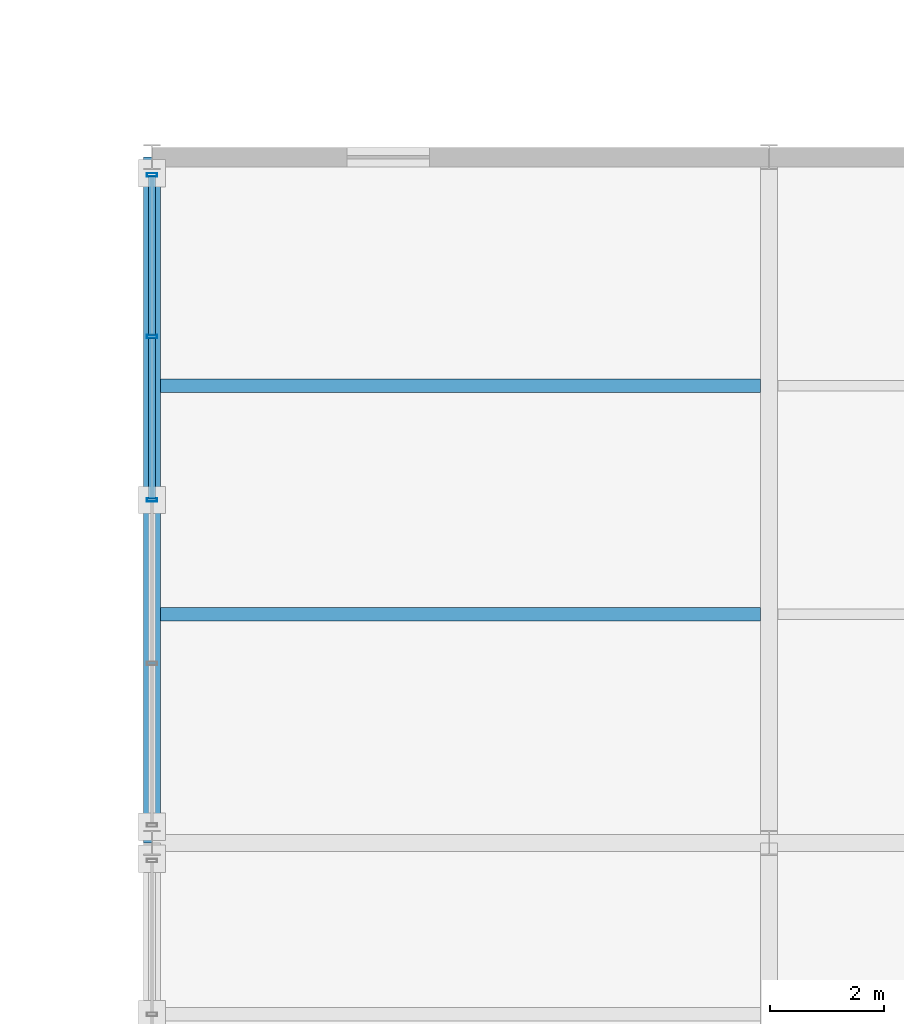
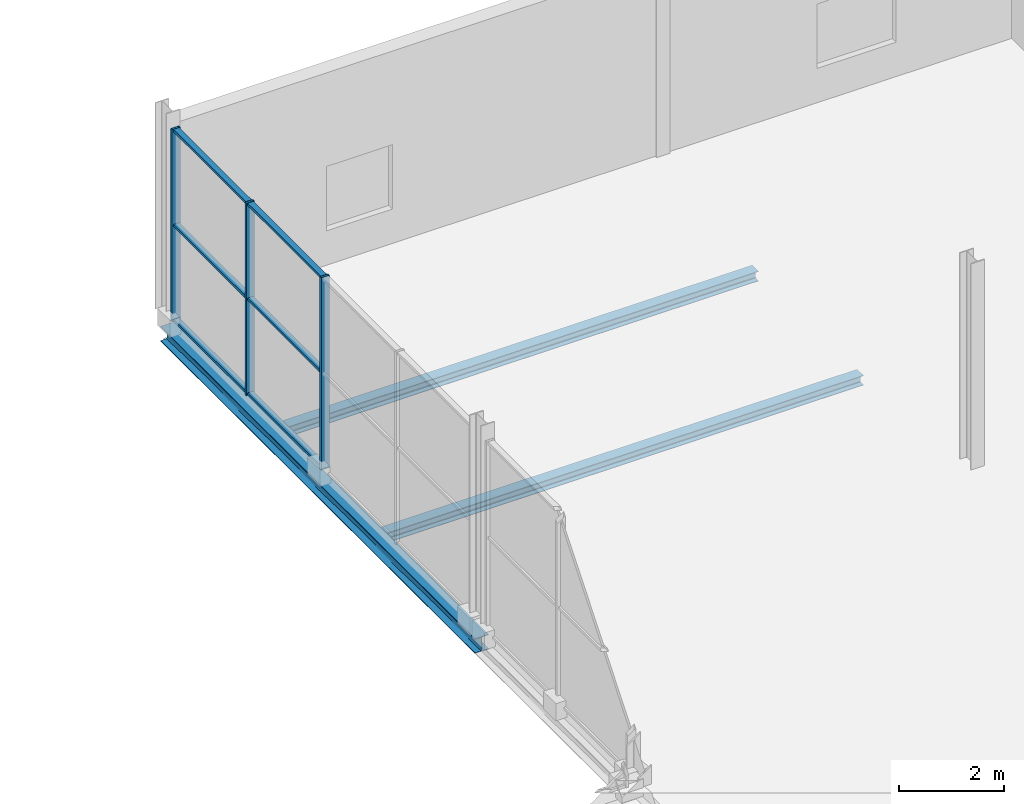
# One storey, part 114 of 159: 9 members, 3 beams, 1 element without a shape of its own.
"""IFC4 building model written with IfcOpenShell, lengths in metres."""

from ifc_helpers import new_model, si_unit, direction, frame, origin, origin_2d, place, context, subcontext, project, spatial, hollow_rectangle, i_section, extrude, material, material_profile, profile_set, type_object, element, aggregate, save


model = new_model("IFC4")

# Units and contexts
model_context = context("Model", 3, precision=1e-05, world=origin(), true_north=direction((0.0, 1.0)))
body_context = subcontext(model_context, "Body", "Model", "MODEL_VIEW")
ifc_project = project(units=[si_unit("LENGTHUNIT", "METRE"), si_unit("AREAUNIT", "SQUARE_METRE"), si_unit("VOLUMEUNIT", "CUBIC_METRE"), si_unit("PLANEANGLEUNIT", "RADIAN"), si_unit("MASSUNIT", "GRAM", prefix="KILO")], contexts=[model_context])

# Site, building, storey
site_placement = place(None, origin())
site = spatial("IfcSite", under=ifc_project, at=site_placement, CompositionType="ELEMENT")
building_placement = place(site_placement, origin())
building = spatial("IfcBuilding", under=site, at=building_placement, Name="Merenkruunu Market Hall", CompositionType="ELEMENT")
storey_placement = place(building_placement, frame((0.0, 0.0, 5.39990234375)))
storey = spatial("IfcBuildingStorey", under=building, at=storey_placement, Name="L01", CompositionType="ELEMENT", Elevation=5.39990234375)

# Curtain wall, members
ifc_material_1 = material(Name="Powder-coated aluminium", Category="aluminium")
curtain_wall_type = type_object("IfcCurtainWallType", Name="Glazed Curtain Wall CW14", PredefinedType="USERDEFINED", material=ifc_material_1)
curtain_wall_placement = place(storey_placement, origin())
curtain_wall = element("IfcCurtainWall", 1, at=curtain_wall_placement, inside=storey, type_object=curtain_wall_type, Name="CW-L01-CWM02-214", ObjectType="GLAZED_FACADE", PredefinedType="USERDEFINED")
ifc_material_profile_1 = material_profile(ifc_material_1, hollow_rectangle(XDim=0.06005859375, YDim=0.179931640625, WallThickness=0.00390625, at=origin_2d()), Name="ALU 60x180x4")
ifc_profile_set_1 = profile_set([ifc_material_profile_1], Name="Powder-coated aluminium")
member_type_1 = type_object("IfcMemberType", Name="Curtain Wall Mullion CWM02", PredefinedType="MULLION", material=ifc_profile_set_1)
member_1_placement = place(storey_placement, frame((148.800048828125, 57.60009765625, 0.0), z_axis=(0.0, 0.0, 1.0), x_axis=(0.0, 1.0, 0.0)))
member_1 = element("IfcMember", 2, at=member_1_placement, type_object=member_type_1, Name="CW14 mullion 3", PredefinedType="MULLION", context=body_context, shape_type="SweptSolid", body=[
    extrude(hollow_rectangle(XDim=0.06005859375, YDim=0.179931640625, WallThickness=0.00390625, at=origin_2d()), origin(), (0.0, 0.0, 1.0), 4.47998046875),
])
member_2_placement = place(storey_placement, frame((148.800048828125, 60.4599609375, 0.0), z_axis=(0.0, 0.0, 1.0), x_axis=(0.0, 1.0, 0.0)))
member_2 = element("IfcMember", 3, at=member_2_placement, type_object=member_type_1, Name="CW14 mullion 4", PredefinedType="MULLION", context=body_context, shape_type="SweptSolid", body=[
    extrude(hollow_rectangle(XDim=0.06005859375, YDim=0.179931640625, WallThickness=0.00390625, at=origin_2d()), origin(), (0.0, 0.0, 1.0), 4.47998046875),
])
member_3_placement = place(storey_placement, frame((148.800048828125, 63.2900390625, 0.0), z_axis=(0.0, 0.0, 1.0), x_axis=(0.0, 1.0, 0.0)))
member_3 = element("IfcMember", 4, at=member_3_placement, type_object=member_type_1, Name="CW14 mullion 5", PredefinedType="MULLION", context=body_context, shape_type="SweptSolid", body=[
    extrude(hollow_rectangle(XDim=0.06005859375, YDim=0.179931640625, WallThickness=0.00390625, at=origin_2d()), origin(), (0.0, 0.0, 1.0), 4.47998046875),
])
ifc_material_profile_2 = material_profile(ifc_material_1, hollow_rectangle(XDim=0.06005859375, YDim=0.125, WallThickness=0.00390625, at=origin_2d()), Name="ALU 60x125x4")
ifc_profile_set_2 = profile_set([ifc_material_profile_2], Name="Powder-coated aluminium")
member_type_2 = type_object("IfcMemberType", Name="Curtain Wall Transom CWT01", PredefinedType="USERDEFINED", material=ifc_profile_set_2)
member_4_placement = place(storey_placement, frame((148.800048828125, 57.6298828125, 0.030029296875), z_axis=(0.0, 1.0, 0.0), x_axis=(0.0, 0.0, 1.0)))
member_4 = element("IfcMember", 5, at=member_4_placement, type_object=member_type_2, Name="CW14 transom 3.1", ObjectType="TRANSOM", PredefinedType="USERDEFINED", context=body_context, shape_type="SweptSolid", body=[
    extrude(hollow_rectangle(XDim=0.06005859375, YDim=0.125, WallThickness=0.00390625, at=origin_2d()), origin(), (0.0, 0.0, 1.0), 2.800048828125),
])
member_5_placement = place(storey_placement, frame((148.800048828125, 57.6298828125, 2.239990234375), z_axis=(0.0, 1.0, 0.0), x_axis=(0.0, 0.0, 1.0)))
member_5 = element("IfcMember", 6, at=member_5_placement, type_object=member_type_2, Name="CW14 transom 3.2", ObjectType="TRANSOM", PredefinedType="USERDEFINED", context=body_context, shape_type="SweptSolid", body=[
    extrude(hollow_rectangle(XDim=0.06005859375, YDim=0.125, WallThickness=0.00390625, at=origin_2d()), origin(), (0.0, 0.0, 1.0), 2.800048828125),
])
member_6_placement = place(storey_placement, frame((148.800048828125, 57.6298828125, 4.4501953125), z_axis=(0.0, 1.0, 0.0), x_axis=(0.0, 0.0, 1.0)))
member_6 = element("IfcMember", 7, at=member_6_placement, type_object=member_type_2, Name="CW14 transom 3.3", ObjectType="TRANSOM", PredefinedType="USERDEFINED", context=body_context, shape_type="SweptSolid", body=[
    extrude(hollow_rectangle(XDim=0.06005859375, YDim=0.125, WallThickness=0.00390625, at=origin_2d()), origin(), (0.0, 0.0, 1.0), 2.800048828125),
])
member_7_placement = place(storey_placement, frame((148.800048828125, 60.489990234375, 0.030029296875), z_axis=(0.0, 1.0, 0.0), x_axis=(0.0, 0.0, 1.0)))
member_7 = element("IfcMember", 8, at=member_7_placement, type_object=member_type_2, Name="CW14 transom 4.1", ObjectType="TRANSOM", PredefinedType="USERDEFINED", context=body_context, shape_type="SweptSolid", body=[
    extrude(hollow_rectangle(XDim=0.06005859375, YDim=0.125, WallThickness=0.00390625, at=origin_2d()), origin(), (0.0, 0.0, 1.0), 2.77001953125),
])
member_8_placement = place(storey_placement, frame((148.800048828125, 60.489990234375, 2.239990234375), z_axis=(0.0, 1.0, 0.0), x_axis=(0.0, 0.0, 1.0)))
member_8 = element("IfcMember", 9, at=member_8_placement, type_object=member_type_2, Name="CW14 transom 4.2", ObjectType="TRANSOM", PredefinedType="USERDEFINED", context=body_context, shape_type="SweptSolid", body=[
    extrude(hollow_rectangle(XDim=0.06005859375, YDim=0.125, WallThickness=0.00390625, at=origin_2d()), origin(), (0.0, 0.0, 1.0), 2.77001953125),
])
member_9_placement = place(storey_placement, frame((148.800048828125, 60.489990234375, 4.4501953125), z_axis=(0.0, 1.0, 0.0), x_axis=(0.0, 0.0, 1.0)))
member_9 = element("IfcMember", 10, at=member_9_placement, type_object=member_type_2, Name="CW14 transom 4.3", ObjectType="TRANSOM", PredefinedType="USERDEFINED", context=body_context, shape_type="SweptSolid", body=[
    extrude(hollow_rectangle(XDim=0.06005859375, YDim=0.125, WallThickness=0.00390625, at=origin_2d()), origin(), (0.0, 0.0, 1.0), 2.77001953125),
])
aggregate(curtain_wall, [member_1, member_2, member_3, member_4, member_5, member_6, member_7, member_8, member_9])

# Beams
ifc_material_2 = material(Name="Steel S355J2", Category="steel")
ifc_material_profile_3 = material_profile(ifc_material_2, i_section(OverallWidth=0.300048828125, OverallDepth=0.35009765625, WebThickness=0.010009765625, FlangeThickness=0.017578125, FilletRadius=0.027099609375, at=origin_2d()), Name="HEA 360")
ifc_profile_set_3 = profile_set([ifc_material_profile_3], Name="Steel S355J2")
beam_type_1 = type_object("IfcBeamType", Name="Primary Floor Girder B08", PredefinedType="BEAM", material=ifc_profile_set_3)
beam_placement = place(storey_placement, frame((148.800048828125, 51.60009765625, -0.454833984375), z_axis=(0.0, 1.0, 0.0), x_axis=(-1.0, 0.0, 0.0)))
element("IfcBeam", 11, at=beam_placement, inside=storey, type_object=beam_type_1, Name="BM-L01-B08-0621", PredefinedType="BEAM", context=body_context, shape_type="SweptSolid", body=[
    extrude(i_section(OverallWidth=0.300048828125, OverallDepth=0.35009765625, WebThickness=0.010009765625, FlangeThickness=0.017578125, FilletRadius=0.027099609375, at=origin_2d()), origin(), (0.0, 0.0, 1.0), 12.0),
])
ifc_material_profile_4 = material_profile(ifc_material_2, i_section(OverallWidth=0.239990234375, OverallDepth=0.22998046875, WebThickness=0.007568359375, FlangeThickness=0.011962890625, FilletRadius=0.02099609375, at=origin_2d()), Name="HEA 240")
ifc_profile_set_4 = profile_set([ifc_material_profile_4], Name="Steel S355J2")
beam_type_2 = type_object("IfcBeamType", Name="Secondary Floor Joist J06", PredefinedType="JOIST", material=ifc_profile_set_4)
for number, where, z_axis, x_axis, name in (
    (12, (148.952880859375, 55.60009765625, -0.39501953125), (1.0, 0.0, 0.0), (0.0, 1.0, 0.0), "BM-L01-J06-0709"),
    (13, (148.952880859375, 59.60009765625, -0.39501953125), (1.0, 0.0, 0.0), (0.0, 1.0, 0.0), "BM-L01-J06-0710"),
):
    element("IfcBeam", number, at=place(storey_placement, frame(where, z_axis=z_axis, x_axis=x_axis)), inside=storey, type_object=beam_type_2, Name=name, PredefinedType="JOIST", context=body_context, shape_type="SweptSolid", body=[
        extrude(i_section(OverallWidth=0.239990234375, OverallDepth=0.22998046875, WebThickness=0.007568359375, FlangeThickness=0.011962890625, FilletRadius=0.02099609375, at=origin_2d()), origin(), (0.0, 0.0, 1.0), 10.494140625),
    ])

save(model, "model.ifc")
